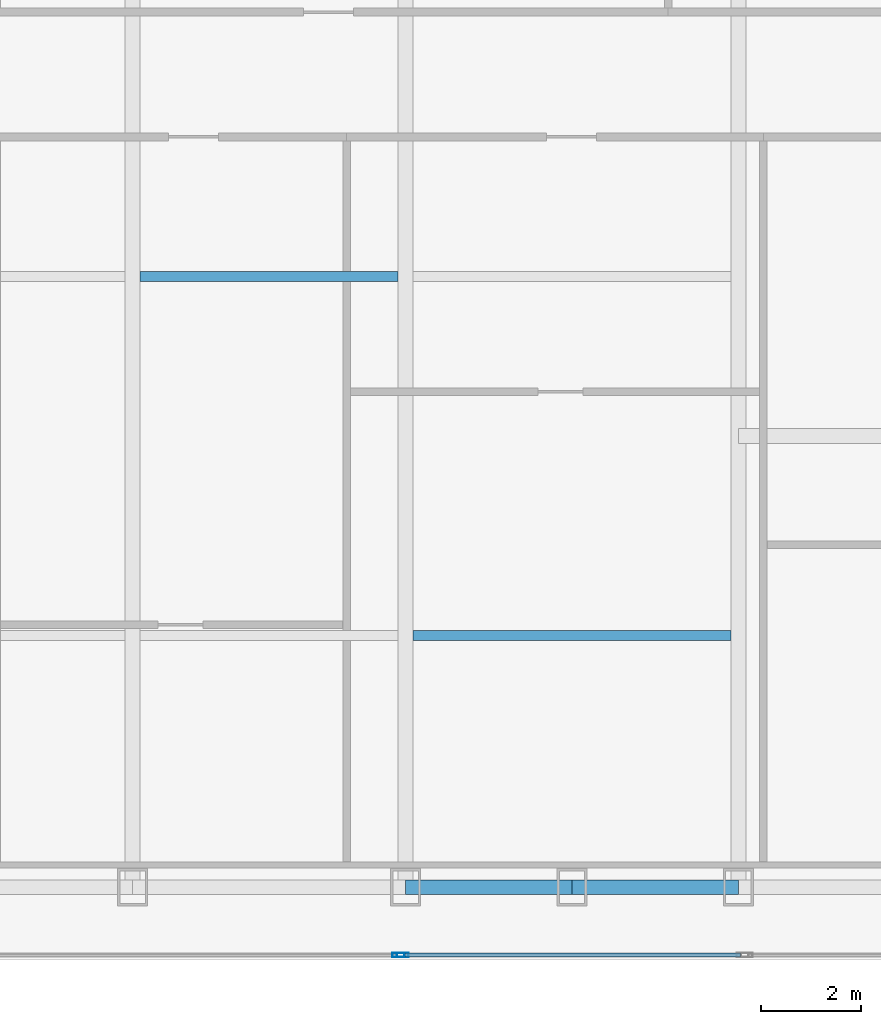
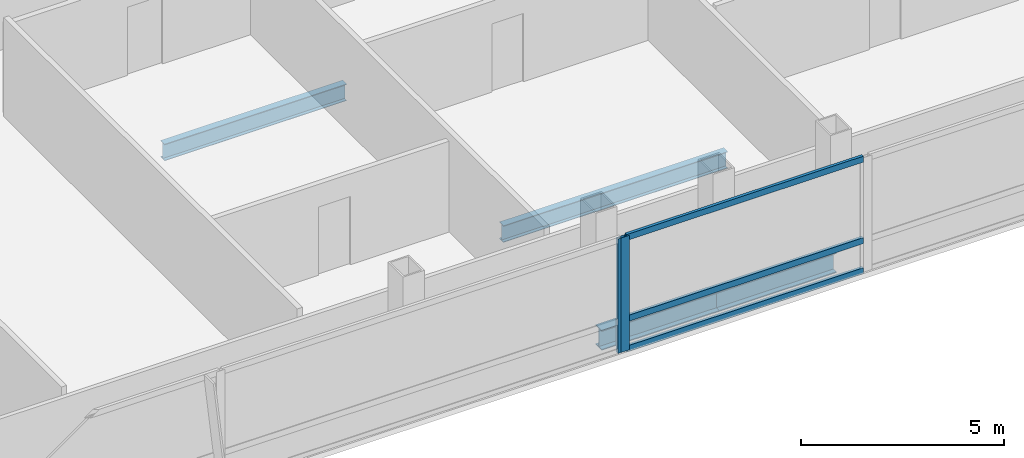
# One storey, part 14 of 32: 5 members, 4 beams, 2 elements without a shape of their own.
"""IFC4 building model written with IfcOpenShell, lengths in metres."""

from ifc_helpers import new_model, si_unit, direction, frame, origin, origin_2d, place, context, subcontext, project, spatial, hollow_rectangle, i_section, extrude, material, material_profile, profile_set, type_object, element, aggregate, save


model = new_model("IFC4")

# Units and contexts
model_context = context("Model", 3, precision=1e-05, world=origin(), true_north=direction((0.0, 1.0)))
body_context = subcontext(model_context, "Body", "Model", "MODEL_VIEW")
ifc_project = project(units=[si_unit("LENGTHUNIT", "METRE"), si_unit("AREAUNIT", "SQUARE_METRE"), si_unit("VOLUMEUNIT", "CUBIC_METRE"), si_unit("PLANEANGLEUNIT", "RADIAN"), si_unit("MASSUNIT", "GRAM", prefix="KILO")], contexts=[model_context])

# Site, building, storey
site_placement = place(None, origin())
site = spatial("IfcSite", under=ifc_project, at=site_placement, CompositionType="ELEMENT")
building_placement = place(site_placement, origin())
building = spatial("IfcBuilding", under=site, at=building_placement, Name="Khoronbel Lancet Exchange", CompositionType="ELEMENT")
storey_placement = place(building_placement, frame((0.0, 0.0, 192.199951171875)))
storey = spatial("IfcBuildingStorey", under=building, at=storey_placement, Name="L48", CompositionType="ELEMENT", Elevation=192.199951171875)

# Beams
ifc_material_1 = material(Name="Steel S355", Category="steel")
ifc_material_profile_1 = material_profile(ifc_material_1, i_section(OverallWidth=0.199951171875, OverallDepth=0.5, WebThickness=0.01025390625, FlangeThickness=0.01611328125, at=origin_2d()), Name="IPE 500")
ifc_profile_set_1 = profile_set([ifc_material_profile_1], Name="Steel S355")
beam_type_1 = type_object("IfcBeamType", Name="BM-BJ3", PredefinedType="JOIST", material=ifc_profile_set_1)
beam_1_placement = place(storey_placement, frame((48.14990234375, 15.199951171875, -0.409912109375), z_axis=(1.0, 0.0, 0.0), x_axis=(0.0, 1.0, 0.0)))
element("IfcBeam", 1, at=beam_1_placement, inside=storey, type_object=beam_type_1, Name="Level L48 secondary composite joist J05", PredefinedType="JOIST", context=body_context, shape_type="SweptSolid", body=[
    extrude(i_section(OverallWidth=0.199951171875, OverallDepth=0.5, WebThickness=0.01025390625, FlangeThickness=0.01611328125, at=origin_2d()), origin(), (0.0, 0.0, 1.0), 6.375),
])
beam_2_placement = place(storey_placement, frame((42.675048828125, 22.39990234375, -0.409912109375), z_axis=(1.0, 0.0, 0.0), x_axis=(0.0, 1.0, 0.0)))
element("IfcBeam", 2, at=beam_2_placement, inside=storey, type_object=beam_type_1, Name="Level L48 secondary composite joist J09", PredefinedType="JOIST", context=body_context, shape_type="SweptSolid", body=[
    extrude(i_section(OverallWidth=0.199951171875, OverallDepth=0.5, WebThickness=0.01025390625, FlangeThickness=0.01611328125, at=origin_2d()), origin(), (0.0, 0.0, 1.0), 5.175048828125),
])
ifc_material_profile_2 = material_profile(ifc_material_1, i_section(OverallWidth=0.300048828125, OverallDepth=0.60009765625, WebThickness=0.015380859375, FlangeThickness=0.030029296875, at=origin_2d()), Name="HEB 600")
ifc_profile_set_2 = profile_set([ifc_material_profile_2], Name="Steel S355")
beam_type_2 = type_object("IfcBeamType", Name="BM-BSP2", PredefinedType="SPANDREL", material=ifc_profile_set_2)
beam_3_placement = place(storey_placement, frame((48.0, 10.14990234375, -0.4599609375), z_axis=(1.0, 0.0, 0.0), x_axis=(0.0, 1.0, 0.0)))
element("IfcBeam", 3, at=beam_3_placement, inside=storey, type_object=beam_type_2, Name="Level L48 perimeter spandrel beam SP07", PredefinedType="SPANDREL", context=body_context, shape_type="SweptSolid", body=[
    extrude(i_section(OverallWidth=0.300048828125, OverallDepth=0.60009765625, WebThickness=0.015380859375, FlangeThickness=0.030029296875, at=origin_2d()), origin(), (0.0, 0.0, 1.0), 3.33740234375),
])
beam_4_placement = place(storey_placement, frame((51.33740234375, 10.14990234375, -0.4599609375), z_axis=(1.0, 0.0, 0.0), x_axis=(0.0, 1.0, 0.0)))
element("IfcBeam", 4, at=beam_4_placement, inside=storey, type_object=beam_type_2, Name="Level L48 perimeter spandrel beam SP08", PredefinedType="SPANDREL", context=body_context, shape_type="SweptSolid", body=[
    extrude(i_section(OverallWidth=0.300048828125, OverallDepth=0.60009765625, WebThickness=0.015380859375, FlangeThickness=0.030029296875, at=origin_2d()), origin(), (0.0, 0.0, 1.0), 3.337646484375),
])

# Curtain wall, member
ifc_material_2 = material(Name="Low-E Solar Control Insulating Glass", Category="glass")
curtain_wall_type = type_object("IfcCurtainWallType", Name="CW-3", PredefinedType="NOTDEFINED", material=ifc_material_2)
curtain_wall_1_placement = place(storey_placement, origin())
curtain_wall_1 = element("IfcCurtainWall", 5, at=curtain_wall_1_placement, inside=storey, type_object=curtain_wall_type, Name="Unitised curtain wall CW-L48-SCV", PredefinedType="NOTDEFINED")
ifc_material_3 = material(Name="Bronze-Anodised Aluminium 6063-T6", Category="aluminium")
ifc_material_profile_3 = material_profile(ifc_material_3, hollow_rectangle(XDim=0.0849609375, YDim=0.239990234375, WallThickness=0.006103515625, at=origin_2d()), Name="ALU MULLION 85x240")
ifc_profile_set_3 = profile_set([ifc_material_profile_3], Name="Bronze-Anodised Aluminium 6063-T6")
member_type_1 = type_object("IfcMemberType", Name="MEM-CWM1", PredefinedType="MULLION", material=ifc_profile_set_3)
member_1_placement = place(storey_placement, frame((47.857421875, 8.7900390625, 0.0), z_axis=(0.0, 0.0, 1.0), x_axis=(0.0, 1.0, 0.0)))
member_1 = element("IfcMember", 6, at=member_1_placement, type_object=member_type_1, Name="CW3 mullion 3", PredefinedType="MULLION", context=body_context, shape_type="SweptSolid", body=[
    extrude(hollow_rectangle(XDim=0.0849609375, YDim=0.239990234375, WallThickness=0.006103515625, at=origin_2d()), origin(), (0.0, 0.0, 1.0), 3.43994140625),
])
aggregate(curtain_wall_1, [member_1])

# Curtain wall, members
curtain_wall_2_placement = place(storey_placement, origin())
curtain_wall_2 = element("IfcCurtainWall", 7, at=curtain_wall_2_placement, inside=storey, type_object=curtain_wall_type, Name="Unitised curtain wall CW-L48-SEB", PredefinedType="NOTDEFINED")
member_2_placement = place(storey_placement, frame((47.9423828125, 8.7900390625, 0.0), z_axis=(0.0, 0.0, 1.0), x_axis=(0.0, 1.0, 0.0)))
member_2 = element("IfcMember", 8, at=member_2_placement, type_object=member_type_1, Name="CW3 mullion 1", PredefinedType="MULLION", context=body_context, shape_type="SweptSolid", body=[
    extrude(hollow_rectangle(XDim=0.0849609375, YDim=0.239990234375, WallThickness=0.006103515625, at=origin_2d()), origin(), (0.0, 0.0, 1.0), 3.43994140625),
])
ifc_material_profile_4 = material_profile(ifc_material_3, hollow_rectangle(XDim=0.0849609375, YDim=0.179931640625, WallThickness=0.0048828125, at=origin_2d()), Name="ALU TRANSOM 85x180")
ifc_profile_set_4 = profile_set([ifc_material_profile_4], Name="Bronze-Anodised Aluminium 6063-T6")
member_type_2 = type_object("IfcMemberType", Name="MEM-CWT1", PredefinedType="USERDEFINED", material=ifc_profile_set_4)
member_3_placement = place(storey_placement, frame((47.985107421875, 8.7900390625, 0.04248046875), z_axis=(1.0, 0.0, 0.0), x_axis=(0.0, 1.0, 0.0)))
member_3 = element("IfcMember", 9, at=member_3_placement, type_object=member_type_2, Name="CW3 transom 1.1", ObjectType="TRANSOM", PredefinedType="USERDEFINED", context=body_context, shape_type="SweptSolid", body=[
    extrude(hollow_rectangle(XDim=0.0849609375, YDim=0.179931640625, WallThickness=0.0048828125, at=origin_2d()), origin(), (0.0, 0.0, 1.0), 6.72998046875),
])
member_4_placement = place(storey_placement, frame((47.985107421875, 8.7900390625, 0.949951171875), z_axis=(1.0, 0.0, 0.0), x_axis=(0.0, 1.0, 0.0)))
member_4 = element("IfcMember", 10, at=member_4_placement, type_object=member_type_2, Name="CW3 transom 1.2", ObjectType="TRANSOM", PredefinedType="USERDEFINED", context=body_context, shape_type="SweptSolid", body=[
    extrude(hollow_rectangle(XDim=0.0849609375, YDim=0.179931640625, WallThickness=0.0048828125, at=origin_2d()), origin(), (0.0, 0.0, 1.0), 6.72998046875),
])
member_5_placement = place(storey_placement, frame((47.985107421875, 8.7900390625, 3.3974609375), z_axis=(1.0, 0.0, 0.0), x_axis=(0.0, 1.0, 0.0)))
member_5 = element("IfcMember", 11, at=member_5_placement, type_object=member_type_2, Name="CW3 transom 1.3", ObjectType="TRANSOM", PredefinedType="USERDEFINED", context=body_context, shape_type="SweptSolid", body=[
    extrude(hollow_rectangle(XDim=0.0849609375, YDim=0.179931640625, WallThickness=0.0048828125, at=origin_2d()), origin(), (0.0, 0.0, 1.0), 6.72998046875),
])
aggregate(curtain_wall_2, [member_2, member_3, member_4, member_5])

save(model, "model.ifc")
